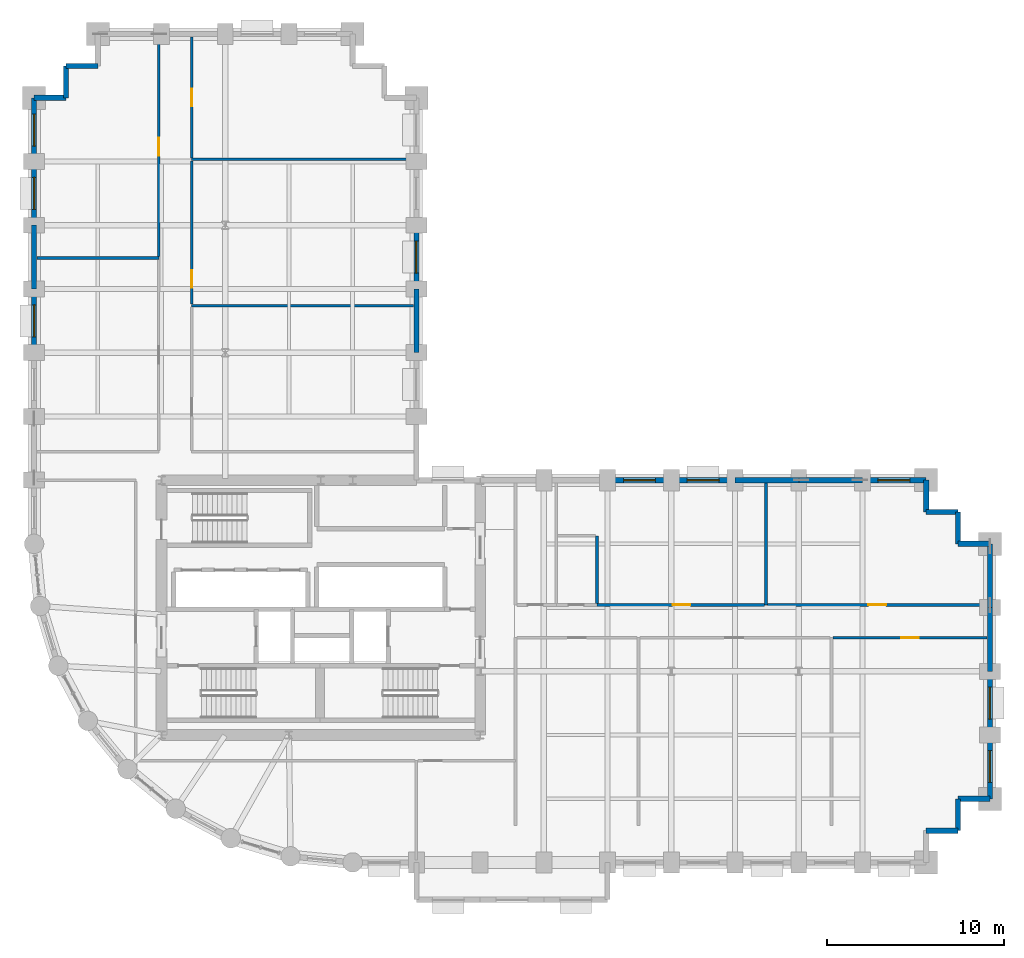
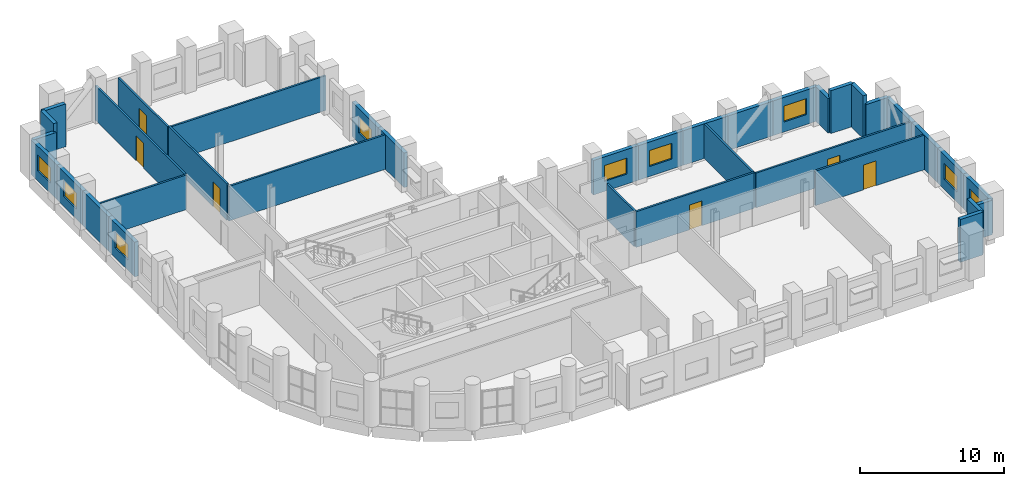
# One storey, part 11 of 14: 36 walls, 9 windows, 6 doors, 15 openings.
"""IFC4 building model written with IfcOpenShell, lengths in metres."""

import ifcopenshell
import ifcopenshell.guid

model = None  # the IFC model being written
_history = None  # IfcOwnerHistory: only IFC2X3 demands one
_inside = {}  # id of a spatial element -> (the spatial element, [elements in it])
_under = {}  # id of a project, library or spatial element -> (it, [spatial elements below it])
_declared = {}  # id of a project -> (the project, [libraries it declares])
_typed = {}  # id of a type object -> (the type object, [elements of that type])
_made_of = {}  # id of a material, layer set ... -> (it, [elements and type objects made of it])


def new_model(schema):
    """Start an empty IFC model of exactly this schema.

    Asked for "IFC4X3", IfcOpenShell would pick the latest addendum, in which some entities
    have other attributes; the version numbers below select the first issue.
    IFC2X3 requires an IfcOwnerHistory on every rooted entity: one is made here for all.
    """
    global model, _history
    if schema == "IFC4X3":
        model = ifcopenshell.file(schema_version=(4, 3, 0, 0))
    else:
        model = ifcopenshell.file(schema=schema)
    _inside.clear()
    _under.clear()
    _declared.clear()
    _typed.clear()
    _made_of.clear()
    _history = None
    if model.schema == "IFC2X3":
        org = make("IfcOrganization", Name="unknown")
        user = make(
            "IfcPersonAndOrganization",
            ThePerson=make("IfcPerson", FamilyName="unknown"),
            TheOrganization=org,
        )
        app = make(
            "IfcApplication",
            ApplicationDeveloper=org,
            Version="unknown",
            ApplicationFullName="unknown",
            ApplicationIdentifier="unknown",
        )
        _history = make(
            "IfcOwnerHistory",
            OwningUser=user,
            OwningApplication=app,
            ChangeAction="ADDED",
            CreationDate=0,
        )
    return model


def make(cls, **values):
    """One entity of the class cls with the attributes given. An attribute that is None is left unset."""
    return model.create_entity(
        cls, **{name: value for name, value in values.items() if value is not None}
    )


def rooted(cls, **values):
    """An entity with a GlobalId (a new one), such as an element, a storey or a relation."""
    return make(cls, GlobalId=ifcopenshell.guid.new(), OwnerHistory=_history, **values)


def si_unit(unit_type, name, prefix=None):
    """IfcSIUnit, for example si_unit("LENGTHUNIT", "METRE", prefix="MILLI")."""
    return make("IfcSIUnit", UnitType=unit_type, Prefix=prefix, Name=name)


def assignment(units):
    """IfcUnitAssignment: the units of a project."""
    return None if units is None else make("IfcUnitAssignment", Units=units)


def point(xyz):
    """IfcCartesianPoint."""
    return None if xyz is None else make("IfcCartesianPoint", Coordinates=xyz)


def direction(xyz):
    """IfcDirection."""
    return None if xyz is None else make("IfcDirection", DirectionRatios=xyz)


def frame(location, z_axis=None, x_axis=None):
    """IfcAxis2Placement3D, a coordinate frame: its origin and axes. An axis left out is left unset."""
    return make(
        "IfcAxis2Placement3D",
        Location=point(location),
        Axis=direction(z_axis),
        RefDirection=direction(x_axis),
    )


def frame_2d(location, x_axis=None):
    """IfcAxis2Placement2D, a coordinate frame in the plane: its origin and x axis."""
    return make(
        "IfcAxis2Placement2D", Location=point(location), RefDirection=direction(x_axis)
    )


def origin():
    """The frame at (0, 0, 0) with its axes left unset."""
    return frame((0.0, 0.0, 0.0))


def place(relative_to, where):
    """IfcLocalPlacement: puts the frame where relative to a parent placement (None: the world)."""
    return make(
        "IfcLocalPlacement", PlacementRelTo=relative_to, RelativePlacement=where
    )


def context(
    kind, dimensions, precision=None, world=None, true_north=None, identifier=None
):
    """IfcGeometricRepresentationContext, for example the 3D "Model" context."""
    return make(
        "IfcGeometricRepresentationContext",
        ContextIdentifier=identifier,
        ContextType=kind,
        CoordinateSpaceDimension=dimensions,
        Precision=precision,
        WorldCoordinateSystem=world,
        TrueNorth=true_north,
    )


def subcontext(parent, identifier, kind, view, scale=None):
    """IfcGeometricRepresentationSubContext, for example "Body" below "Model"."""
    return make(
        "IfcGeometricRepresentationSubContext",
        ContextIdentifier=identifier,
        ContextType=kind,
        ParentContext=parent,
        TargetScale=scale,
        TargetView=view,
    )


def project(units=None, contexts=None):
    """IfcProject with its units and contexts."""
    return rooted(
        "IfcProject",
        Name="project",
        RepresentationContexts=contexts,
        UnitsInContext=assignment(units),
    )


def spatial(cls, under=None, at=None, **own):
    """A site, building, storey or space (cls), placed at a placement, below another one or the project."""
    s = rooted(cls, ObjectPlacement=at, **own)
    if under is not None:
        _under.setdefault(under.id(), (under, []))[1].append(s)
    return s


def profile(cls, at=None, kind="AREA", **sizes):
    """A parametric profile (cls). Its sizes go by their IFC names, for example OverallWidth=200.0."""
    return make(cls, ProfileType=kind, Position=at, **sizes)


def rectangle(**sizes):
    """IfcRectangleProfileDef."""
    return profile("IfcRectangleProfileDef", **sizes)


def extrude(swept, where, along, depth):
    """IfcExtrudedAreaSolid: the profile swept, set in the frame where, extruded along a direction by depth."""
    return make(
        "IfcExtrudedAreaSolid",
        SweptArea=swept,
        Position=where,
        ExtrudedDirection=direction(along),
        Depth=depth,
    )


def shape(context_of_items, identifier, shape_type, items):
    """IfcShapeRepresentation: the items that make up one representation, for example the "Body"."""
    return make(
        "IfcShapeRepresentation",
        ContextOfItems=context_of_items,
        RepresentationIdentifier=identifier,
        RepresentationType=shape_type,
        Items=items,
    )


def material(Name=None, Category=None):
    """IfcMaterial."""
    return make("IfcMaterial", Name=Name, Category=Category)


def layer(
    of_material, thickness, ventilated=None, Name=None, Category=None, Priority=None
):
    """IfcMaterialLayer: one layer of a wall or slab, of a material (None: an air gap)."""
    return make(
        "IfcMaterialLayer",
        Material=of_material,
        LayerThickness=thickness,
        IsVentilated=ventilated,
        Name=Name,
        Category=Category,
        Priority=Priority,
    )


def layer_set(layers, Name=None):
    """IfcMaterialLayerSet."""
    return make("IfcMaterialLayerSet", MaterialLayers=layers, LayerSetName=Name)


def made_of(thing, what):
    """Note that an element or type object is made of a material, layer set ...; save() writes the relation."""
    if what is not None:
        _made_of.setdefault(what.id(), (what, []))[1].append(thing)
    return thing


def type_object(cls, material=None, **own):
    """A type object (cls), such as IfcWallType, which elements share."""
    return made_of(rooted(cls, **own), material)


def element(
    cls,
    number,
    at=None,
    inside=None,
    cuts=None,
    type_object=None,
    material=None,
    context=None,
    identifier="Body",
    shape_type=None,
    held_by="IfcProductDefinitionShape",
    body=None,
    shapes=None,
    **own,
):
    """One element of the class cls, such as IfcWall. Its Tag is "e" and its number.

    at: its placement. inside: the storey or other place that contains it. cuts: it is an
    opening in that element (IfcRelVoidsElement). A single representation is given by context,
    identifier, shape_type and body (its items); several are given by shapes. held_by: the class
    of the entity that holds the representations. save() writes the other relations.
    """
    e = rooted(cls, Tag="e%d" % number, ObjectPlacement=at, **own)
    if body is not None:
        shapes = [shape(context, identifier, shape_type, body)]
    if shapes is not None:
        e.Representation = make(held_by, Representations=shapes)
    if inside is not None:
        _inside.setdefault(inside.id(), (inside, []))[1].append(e)
    if cuts is not None:
        rooted(
            "IfcRelVoidsElement", RelatingBuildingElement=cuts, RelatedOpeningElement=e
        )
    if type_object is not None:
        _typed.setdefault(type_object.id(), (type_object, []))[1].append(e)
    return made_of(e, material)


def fill(opening, filler):
    """IfcRelFillsElement: the door or window that sits in an opening."""
    return rooted(
        "IfcRelFillsElement",
        RelatingOpeningElement=opening,
        RelatedBuildingElement=filler,
    )


def aggregate(whole, parts):
    """IfcRelAggregates: a whole, such as a stair, and the parts it consists of."""
    return rooted("IfcRelAggregates", RelatingObject=whole, RelatedObjects=parts)


def save(model, path):
    """Write the relations noted so far, then the file.

    IfcRelAggregates (storeys below a building ...), IfcRelContainedInSpatialStructure (elements
    in a storey), IfcRelDefinesByType, IfcRelAssociatesMaterial and IfcRelDeclares: one each for
    every whole, place, type object, material and project.
    """
    for whole, parts in _under.values():
        aggregate(whole, parts)
    for where, things in _inside.values():
        rooted(
            "IfcRelContainedInSpatialStructure",
            RelatedElements=things,
            RelatingStructure=where,
        )
    for kind, things in _typed.values():
        rooted("IfcRelDefinesByType", RelatedObjects=things, RelatingType=kind)
    for what, things in _made_of.values():
        rooted("IfcRelAssociatesMaterial", RelatedObjects=things, RelatingMaterial=what)
    for by, libraries in _declared.values():
        rooted("IfcRelDeclares", RelatingContext=by, RelatedDefinitions=libraries)
    model.write(path)


model = new_model("IFC4")

# Units and contexts
model_context = context("Model", 3, precision=1e-05, world=origin(), true_north=direction((0.0, 1.0)))
body_context = subcontext(model_context, "Body", "Model", "MODEL_VIEW")
ifc_project = project(units=[si_unit("LENGTHUNIT", "METRE"), si_unit("AREAUNIT", "SQUARE_METRE"), si_unit("VOLUMEUNIT", "CUBIC_METRE"), si_unit("PLANEANGLEUNIT", "RADIAN"), si_unit("MASSUNIT", "GRAM", prefix="KILO")], contexts=[model_context])

# Site, building, storey
site_placement = place(None, origin())
site = spatial("IfcSite", under=ifc_project, at=site_placement, CompositionType="ELEMENT")
building_placement = place(site_placement, origin())
building = spatial("IfcBuilding", under=site, at=building_placement, Name="Solnavia Interchange Tower", CompositionType="ELEMENT")
storey_placement = place(building_placement, frame((0.0, 0.0, 63.0)))
storey = spatial("IfcBuildingStorey", under=building, at=storey_placement, Name="L15", CompositionType="ELEMENT", Elevation=63.0)

# Walls
ifc_material_1 = material(Name="Concrete C40/50", Category="concrete")
ifc_layer_1 = layer(ifc_material_1, 0.300048828125)
ifc_layer_set_1 = layer_set([ifc_layer_1], Name="Concrete C40/50")
wall_type_1 = type_object("IfcWallType", Name="Wall-ExtSpandrel-300", PredefinedType="STANDARD", material=ifc_layer_set_1)
wall_1_placement = place(storey_placement, frame((59.39990234375, 5.39990234375, 0.0), z_axis=(0.0, 0.0, 1.0), x_axis=(-1.0, 0.0, 0.0)))
element("IfcWall", 1, at=wall_1_placement, inside=storey, type_object=wall_type_1, Name="EXW-L15-13 Exterior precast spandrel wall", PredefinedType="STANDARD", context=body_context, shape_type="SweptSolid", body=[
    extrude(rectangle(XDim=1.7998046875, YDim=0.300048828125, at=frame_2d((0.89990234375, 0.0))), origin(), (0.0, 0.0, 1.0), 3.635009765625),
])
wall_2_placement = place(storey_placement, frame((59.39990234375, 7.199951171875, 0.0), z_axis=(0.0, 0.0, 1.0), x_axis=(0.0, -1.0, 0.0)))
element("IfcWall", 2, at=wall_2_placement, inside=storey, type_object=wall_type_1, Name="EXW-L15-14 Exterior precast spandrel wall", PredefinedType="STANDARD", context=body_context, shape_type="SweptSolid", body=[
    extrude(rectangle(XDim=1.800048828125, YDim=0.300048828125, at=frame_2d((0.89990234375, 0.0))), origin(), (0.0, 0.0, 1.0), 3.635009765625),
])
wall_3_placement = place(storey_placement, frame((61.199951171875, 7.199951171875, 0.0), z_axis=(0.0, 0.0, 1.0), x_axis=(-1.0, 0.0, 0.0)))
element("IfcWall", 3, at=wall_3_placement, inside=storey, type_object=wall_type_1, Name="EXW-L15-15 Exterior precast spandrel wall", PredefinedType="STANDARD", context=body_context, shape_type="SweptSolid", body=[
    extrude(rectangle(XDim=1.800048828125, YDim=0.300048828125, at=frame_2d((0.89990234375, 0.0))), origin(), (0.0, 0.0, 1.0), 2.929931640625),
])

# Wall, opening, window
wall_4_placement = place(storey_placement, frame((61.199951171875, 10.800048828125, 0.0), z_axis=(0.0, 0.0, 1.0), x_axis=(0.0, -1.0, 0.0)))
wall_4 = element("IfcWall", 4, at=wall_4_placement, inside=storey, type_object=wall_type_1, Name="EXW-L15-16 Exterior precast spandrel wall", PredefinedType="STANDARD", context=body_context, shape_type="SweptSolid", body=[
    extrude(rectangle(XDim=3.60009765625, YDim=0.300048828125, at=frame_2d((1.800048828125, 0.0))), origin(), (0.0, 0.0, 1.0), 2.929931640625),
])
opening_1_placement = place(wall_4_placement, frame((0.875, 0.0, 0.85009765625)))
opening_1 = element("IfcOpeningElement", 5, at=opening_1_placement, cuts=wall_4, Name="Opening WIN-02", PredefinedType="OPENING", context=body_context, shape_type="SweptSolid", body=[
    extrude(rectangle(XDim=1.800048828125, YDim=1.35009765625, at=frame_2d((0.89990234375, 0.675048828125))), frame((0.0, 0.16015625, 0.0), z_axis=(0.0, -1.0, 0.0), x_axis=(1.0, 0.0, 0.0)), (0.0, 0.0, 1.0), 0.320068359375),
])
ifc_material_2 = material(Name="Thermal-Break Aluminium & Low-E Glass", Category="aluminium")
window_type = type_object("IfcWindowType", Name="Window-Ribbon-1800x1350", PartitioningType="SINGLE_PANEL", PredefinedType="WINDOW", material=ifc_material_2)
window_1_placement = place(opening_1_placement, origin())
window_1 = element("IfcWindow", 6, at=window_1_placement, inside=storey, type_object=window_type, Name="WIN-L15-16 Facade ribbon window", OverallHeight=1.35009765625, OverallWidth=1.800048828125, PartitioningType="SINGLE_PANEL", PredefinedType="WINDOW", context=body_context, shape_type="SweptSolid", body=[
    extrude(rectangle(XDim=1.800048828125, YDim=1.35009765625, at=frame_2d((0.89990234375, 0.675048828125))), frame((0.0, 0.030029296875, 0.0), z_axis=(0.0, -1.0, 0.0), x_axis=(1.0, 0.0, 0.0)), (0.0, 0.0, 1.0), 0.06005859375),
])
fill(opening_1, window_1)

wall_5_placement = place(storey_placement, frame((61.199951171875, 14.39990234375, 0.0), z_axis=(0.0, 0.0, 1.0), x_axis=(0.0, -1.0, 0.0)))
wall_5 = element("IfcWall", 7, at=wall_5_placement, inside=storey, type_object=wall_type_1, Name="EXW-L15-17 Exterior precast spandrel wall", PredefinedType="STANDARD", context=body_context, shape_type="SweptSolid", body=[
    extrude(rectangle(XDim=3.599853515625, YDim=0.300048828125, at=frame_2d((1.7998046875, 0.0))), origin(), (0.0, 0.0, 1.0), 2.929931640625),
])
opening_2_placement = place(wall_5_placement, frame((0.89990234375, 0.0, 0.85009765625)))
opening_2 = element("IfcOpeningElement", 8, at=opening_2_placement, cuts=wall_5, Name="Opening WIN-02", PredefinedType="OPENING", context=body_context, shape_type="SweptSolid", body=[
    extrude(rectangle(XDim=1.800048828125, YDim=1.35009765625, at=frame_2d((0.89990234375, 0.675048828125))), frame((0.0, 0.16015625, 0.0), z_axis=(0.0, -1.0, 0.0), x_axis=(1.0, 0.0, 0.0)), (0.0, 0.0, 1.0), 0.320068359375),
])
window_2_placement = place(opening_2_placement, origin())
window_2 = element("IfcWindow", 9, at=window_2_placement, inside=storey, type_object=window_type, Name="WIN-L15-17 Facade ribbon window", OverallHeight=1.35009765625, OverallWidth=1.800048828125, PartitioningType="SINGLE_PANEL", PredefinedType="WINDOW", context=body_context, shape_type="SweptSolid", body=[
    extrude(rectangle(XDim=1.800048828125, YDim=1.35009765625, at=frame_2d((0.89990234375, 0.675048828125))), frame((0.0, 0.030029296875, 0.0), z_axis=(0.0, -1.0, 0.0), x_axis=(1.0, 0.0, 0.0)), (0.0, 0.0, 1.0), 0.06005859375),
])
fill(opening_2, window_2)

# Walls
for number, where, z_axis, x_axis, name in (
    (10, (61.199951171875, 18.0, 0.0), (0.0, 0.0, 1.0), (0.0, -1.0, 0.0), "EXW-L15-18 Exterior precast spandrel wall"),
    (11, (61.199951171875, 21.60009765625, 0.0), (0.0, 0.0, 1.0), (0.0, -1.0, 0.0), "EXW-L15-19 Exterior precast spandrel wall"),
):
    element("IfcWall", number, at=place(storey_placement, frame(where, z_axis=z_axis, x_axis=x_axis)), inside=storey, type_object=wall_type_1, Name=name, PredefinedType="STANDARD", context=body_context, shape_type="SweptSolid", body=[
        extrude(rectangle(XDim=3.60009765625, YDim=0.300048828125, at=frame_2d((1.800048828125, 0.0))), origin(), (0.0, 0.0, 1.0), 2.929931640625),
    ])
wall_6_placement = place(storey_placement, frame((61.199951171875, 21.60009765625, 0.0), z_axis=(0.0, 0.0, 1.0), x_axis=(-1.0, 0.0, 0.0)))
element("IfcWall", 12, at=wall_6_placement, inside=storey, type_object=wall_type_1, Name="EXW-L15-20 Exterior precast spandrel wall", PredefinedType="STANDARD", context=body_context, shape_type="SweptSolid", body=[
    extrude(rectangle(XDim=1.800048828125, YDim=0.300048828125, at=frame_2d((0.89990234375, 0.0))), origin(), (0.0, 0.0, 1.0), 2.929931640625),
])
for number, where, z_axis, x_axis, name in (
    (13, (59.39990234375, 23.39990234375, 0.0), (0.0, 0.0, 1.0), (0.0, -1.0, 0.0), "EXW-L15-21 Exterior precast spandrel wall"),
    (14, (57.60009765625, 23.39990234375, 0.0), (0.0, 0.0, 1.0), (1.0, 0.0, 0.0), "EXW-L15-22 Exterior precast spandrel wall"),
):
    element("IfcWall", number, at=place(storey_placement, frame(where, z_axis=z_axis, x_axis=x_axis)), inside=storey, type_object=wall_type_1, Name=name, PredefinedType="STANDARD", context=body_context, shape_type="SweptSolid", body=[
        extrude(rectangle(XDim=1.7998046875, YDim=0.300048828125, at=frame_2d((0.89990234375, 0.0))), origin(), (0.0, 0.0, 1.0), 3.635009765625),
    ])
wall_7_placement = place(storey_placement, frame((57.60009765625, 25.199951171875, 0.0), z_axis=(0.0, 0.0, 1.0), x_axis=(0.0, -1.0, 0.0)))
element("IfcWall", 15, at=wall_7_placement, inside=storey, type_object=wall_type_1, Name="EXW-L15-23 Exterior precast spandrel wall", PredefinedType="STANDARD", context=body_context, shape_type="SweptSolid", body=[
    extrude(rectangle(XDim=1.800048828125, YDim=0.300048828125, at=frame_2d((0.89990234375, 0.0))), origin(), (0.0, 0.0, 1.0), 2.929931640625),
])

# Wall, opening, window
wall_8_placement = place(storey_placement, frame((54.0, 25.199951171875, 0.0), z_axis=(0.0, 0.0, 1.0), x_axis=(1.0, 0.0, 0.0)))
wall_8 = element("IfcWall", 16, at=wall_8_placement, inside=storey, type_object=wall_type_1, Name="EXW-L15-24 Exterior precast spandrel wall", PredefinedType="STANDARD", context=body_context, shape_type="SweptSolid", body=[
    extrude(rectangle(XDim=3.60009765625, YDim=0.300048828125, at=frame_2d((1.800048828125, 0.0))), origin(), (0.0, 0.0, 1.0), 2.929931640625),
])
opening_3_placement = place(wall_8_placement, frame((0.875, 0.0, 0.85009765625)))
opening_3 = element("IfcOpeningElement", 17, at=opening_3_placement, cuts=wall_8, Name="Opening WIN-02", PredefinedType="OPENING", context=body_context, shape_type="SweptSolid", body=[
    extrude(rectangle(XDim=1.800048828125, YDim=1.35009765625, at=frame_2d((0.89990234375, 0.675048828125))), frame((0.0, 0.16015625, 0.0), z_axis=(0.0, -1.0, 0.0), x_axis=(1.0, 0.0, 0.0)), (0.0, 0.0, 1.0), 0.320068359375),
])
window_3_placement = place(opening_3_placement, origin())
window_3 = element("IfcWindow", 18, at=window_3_placement, inside=storey, type_object=window_type, Name="WIN-L15-24 Facade ribbon window", OverallHeight=1.35009765625, OverallWidth=1.800048828125, PartitioningType="SINGLE_PANEL", PredefinedType="WINDOW", context=body_context, shape_type="SweptSolid", body=[
    extrude(rectangle(XDim=1.800048828125, YDim=1.35009765625, at=frame_2d((0.89990234375, 0.675048828125))), frame((0.0, 0.030029296875, 0.0), z_axis=(0.0, -1.0, 0.0), x_axis=(1.0, 0.0, 0.0)), (0.0, 0.0, 1.0), 0.06005859375),
])
fill(opening_3, window_3)

# Walls
wall_9_placement = place(storey_placement, frame((50.39990234375, 25.199951171875, 0.0), z_axis=(0.0, 0.0, 1.0), x_axis=(1.0, 0.0, 0.0)))
element("IfcWall", 19, at=wall_9_placement, inside=storey, type_object=wall_type_1, Name="EXW-L15-25 Exterior precast spandrel wall", PredefinedType="STANDARD", context=body_context, shape_type="SweptSolid", body=[
    extrude(rectangle(XDim=3.60009765625, YDim=0.300048828125, at=frame_2d((1.800048828125, 0.0))), origin(), (0.0, 0.0, 1.0), 2.929931640625),
])
wall_10_placement = place(storey_placement, frame((46.800048828125, 25.199951171875, 0.0), z_axis=(0.0, 0.0, 1.0), x_axis=(1.0, 0.0, 0.0)))
element("IfcWall", 20, at=wall_10_placement, inside=storey, type_object=wall_type_1, Name="EXW-L15-26 Exterior precast spandrel wall", PredefinedType="STANDARD", context=body_context, shape_type="SweptSolid", body=[
    extrude(rectangle(XDim=3.599853515625, YDim=0.300048828125, at=frame_2d((1.7998046875, 0.0))), origin(), (0.0, 0.0, 1.0), 2.929931640625),
])

# Wall, opening, window
wall_11_placement = place(storey_placement, frame((43.199951171875, 25.199951171875, 0.0), z_axis=(0.0, 0.0, 1.0), x_axis=(1.0, 0.0, 0.0)))
wall_11 = element("IfcWall", 21, at=wall_11_placement, inside=storey, type_object=wall_type_1, Name="EXW-L15-27 Exterior precast spandrel wall", PredefinedType="STANDARD", context=body_context, shape_type="SweptSolid", body=[
    extrude(rectangle(XDim=3.60009765625, YDim=0.300048828125, at=frame_2d((1.800048828125, 0.0))), origin(), (0.0, 0.0, 1.0), 2.929931640625),
])
opening_4_placement = place(wall_11_placement, frame((0.89990234375, 0.0, 0.85009765625)))
opening_4 = element("IfcOpeningElement", 22, at=opening_4_placement, cuts=wall_11, Name="Opening WIN-02", PredefinedType="OPENING", context=body_context, shape_type="SweptSolid", body=[
    extrude(rectangle(XDim=1.800048828125, YDim=1.35009765625, at=frame_2d((0.89990234375, 0.675048828125))), frame((0.0, 0.16015625, 0.0), z_axis=(0.0, -1.0, 0.0), x_axis=(1.0, 0.0, 0.0)), (0.0, 0.0, 1.0), 0.320068359375),
])
window_4_placement = place(opening_4_placement, origin())
window_4 = element("IfcWindow", 23, at=window_4_placement, inside=storey, type_object=window_type, Name="WIN-L15-27 Facade ribbon window", OverallHeight=1.35009765625, OverallWidth=1.800048828125, PartitioningType="SINGLE_PANEL", PredefinedType="WINDOW", context=body_context, shape_type="SweptSolid", body=[
    extrude(rectangle(XDim=1.800048828125, YDim=1.35009765625, at=frame_2d((0.89990234375, 0.675048828125))), frame((0.0, 0.030029296875, 0.0), z_axis=(0.0, -1.0, 0.0), x_axis=(1.0, 0.0, 0.0)), (0.0, 0.0, 1.0), 0.06005859375),
])
fill(opening_4, window_4)

wall_12_placement = place(storey_placement, frame((39.60009765625, 25.199951171875, 0.0), z_axis=(0.0, 0.0, 1.0), x_axis=(1.0, 0.0, 0.0)))
wall_12 = element("IfcWall", 24, at=wall_12_placement, inside=storey, type_object=wall_type_1, Name="EXW-L15-28 Exterior precast spandrel wall", PredefinedType="STANDARD", context=body_context, shape_type="SweptSolid", body=[
    extrude(rectangle(XDim=3.599853515625, YDim=0.300048828125, at=frame_2d((1.7998046875, 0.0))), origin(), (0.0, 0.0, 1.0), 2.929931640625),
])
opening_5_placement = place(wall_12_placement, frame((0.89990234375, 0.0, 0.85009765625)))
opening_5 = element("IfcOpeningElement", 25, at=opening_5_placement, cuts=wall_12, Name="Opening WIN-02", PredefinedType="OPENING", context=body_context, shape_type="SweptSolid", body=[
    extrude(rectangle(XDim=1.800048828125, YDim=1.35009765625, at=frame_2d((0.89990234375, 0.675048828125))), frame((0.0, 0.16015625, 0.0), z_axis=(0.0, -1.0, 0.0), x_axis=(1.0, 0.0, 0.0)), (0.0, 0.0, 1.0), 0.320068359375),
])
window_5_placement = place(opening_5_placement, origin())
window_5 = element("IfcWindow", 26, at=window_5_placement, inside=storey, type_object=window_type, Name="WIN-L15-28 Facade ribbon window", OverallHeight=1.35009765625, OverallWidth=1.800048828125, PartitioningType="SINGLE_PANEL", PredefinedType="WINDOW", context=body_context, shape_type="SweptSolid", body=[
    extrude(rectangle(XDim=1.800048828125, YDim=1.35009765625, at=frame_2d((0.89990234375, 0.675048828125))), frame((0.0, 0.030029296875, 0.0), z_axis=(0.0, -1.0, 0.0), x_axis=(1.0, 0.0, 0.0)), (0.0, 0.0, 1.0), 0.06005859375),
])
fill(opening_5, window_5)

# Wall
wall_13_placement = place(storey_placement, frame((28.800048828125, 32.39990234375, 0.0), z_axis=(0.0, 0.0, 1.0), x_axis=(0.0, 1.0, 0.0)))
element("IfcWall", 27, at=wall_13_placement, inside=storey, type_object=wall_type_1, Name="EXW-L15-34 Exterior precast spandrel wall", PredefinedType="STANDARD", context=body_context, shape_type="SweptSolid", body=[
    extrude(rectangle(XDim=3.60009765625, YDim=0.300048828125, at=frame_2d((1.800048828125, 0.0))), origin(), (0.0, 0.0, 1.0), 2.929931640625),
])

# Wall, opening, window
wall_14_placement = place(storey_placement, frame((28.800048828125, 36.0, 0.0), z_axis=(0.0, 0.0, 1.0), x_axis=(0.0, 1.0, 0.0)))
wall_14 = element("IfcWall", 28, at=wall_14_placement, inside=storey, type_object=wall_type_1, Name="EXW-L15-35 Exterior precast spandrel wall", PredefinedType="STANDARD", context=body_context, shape_type="SweptSolid", body=[
    extrude(rectangle(XDim=3.60009765625, YDim=0.300048828125, at=frame_2d((1.800048828125, 0.0))), origin(), (0.0, 0.0, 1.0), 2.929931640625),
])
opening_6_placement = place(wall_14_placement, frame((0.89990234375, 0.0, 0.85009765625)))
opening_6 = element("IfcOpeningElement", 29, at=opening_6_placement, cuts=wall_14, Name="Opening WIN-02", PredefinedType="OPENING", context=body_context, shape_type="SweptSolid", body=[
    extrude(rectangle(XDim=1.800048828125, YDim=1.35009765625, at=frame_2d((0.89990234375, 0.675048828125))), frame((0.0, 0.16015625, 0.0), z_axis=(0.0, -1.0, 0.0), x_axis=(1.0, 0.0, 0.0)), (0.0, 0.0, 1.0), 0.320068359375),
])
window_6_placement = place(opening_6_placement, origin())
window_6 = element("IfcWindow", 30, at=window_6_placement, inside=storey, type_object=window_type, Name="WIN-L15-35 Facade ribbon window", OverallHeight=1.35009765625, OverallWidth=1.800048828125, PartitioningType="SINGLE_PANEL", PredefinedType="WINDOW", context=body_context, shape_type="SweptSolid", body=[
    extrude(rectangle(XDim=1.800048828125, YDim=1.35009765625, at=frame_2d((0.89990234375, 0.675048828125))), frame((0.0, 0.030029296875, 0.0), z_axis=(0.0, -1.0, 0.0), x_axis=(1.0, 0.0, 0.0)), (0.0, 0.0, 1.0), 0.06005859375),
])
fill(opening_6, window_6)

# Walls
for number, where, z_axis, x_axis, name in (
    (31, (9.0, 48.60009765625, 0.0), (0.0, 0.0, 1.0), (1.0, 0.0, 0.0), "EXW-L15-47 Exterior precast spandrel wall"),
    (32, (9.0, 46.800048828125, 0.0), (0.0, 0.0, 1.0), (0.0, 1.0, 0.0), "EXW-L15-48 Exterior precast spandrel wall"),
):
    element("IfcWall", number, at=place(storey_placement, frame(where, z_axis=z_axis, x_axis=x_axis)), inside=storey, type_object=wall_type_1, Name=name, PredefinedType="STANDARD", context=body_context, shape_type="SweptSolid", body=[
        extrude(rectangle(XDim=1.800048828125, YDim=0.300048828125, at=frame_2d((0.89990234375, 0.0))), origin(), (0.0, 0.0, 1.0), 3.635009765625),
    ])
wall_15_placement = place(storey_placement, frame((7.199951171875, 46.800048828125, 0.0), z_axis=(0.0, 0.0, 1.0), x_axis=(1.0, 0.0, 0.0)))
element("IfcWall", 33, at=wall_15_placement, inside=storey, type_object=wall_type_1, Name="EXW-L15-49 Exterior precast spandrel wall", PredefinedType="STANDARD", context=body_context, shape_type="SweptSolid", body=[
    extrude(rectangle(XDim=1.800048828125, YDim=0.300048828125, at=frame_2d((0.89990234375, 0.0))), origin(), (0.0, 0.0, 1.0), 2.929931640625),
])

# Wall, opening, window
wall_16_placement = place(storey_placement, frame((7.199951171875, 43.199951171875, 0.0), z_axis=(0.0, 0.0, 1.0), x_axis=(0.0, 1.0, 0.0)))
wall_16 = element("IfcWall", 34, at=wall_16_placement, inside=storey, type_object=wall_type_1, Name="EXW-L15-50 Exterior precast spandrel wall", PredefinedType="STANDARD", context=body_context, shape_type="SweptSolid", body=[
    extrude(rectangle(XDim=3.60009765625, YDim=0.300048828125, at=frame_2d((1.800048828125, 0.0))), origin(), (0.0, 0.0, 1.0), 2.929931640625),
])
opening_7_placement = place(wall_16_placement, frame((0.875, 0.0, 0.85009765625)))
opening_7 = element("IfcOpeningElement", 35, at=opening_7_placement, cuts=wall_16, Name="Opening WIN-02", PredefinedType="OPENING", context=body_context, shape_type="SweptSolid", body=[
    extrude(rectangle(XDim=1.800048828125, YDim=1.35009765625, at=frame_2d((0.89990234375, 0.675048828125))), frame((0.0, 0.16015625, 0.0), z_axis=(0.0, -1.0, 0.0), x_axis=(1.0, 0.0, 0.0)), (0.0, 0.0, 1.0), 0.320068359375),
])
window_7_placement = place(opening_7_placement, origin())
window_7 = element("IfcWindow", 36, at=window_7_placement, inside=storey, type_object=window_type, Name="WIN-L15-50 Facade ribbon window", OverallHeight=1.35009765625, OverallWidth=1.800048828125, PartitioningType="SINGLE_PANEL", PredefinedType="WINDOW", context=body_context, shape_type="SweptSolid", body=[
    extrude(rectangle(XDim=1.800048828125, YDim=1.35009765625, at=frame_2d((0.89990234375, 0.675048828125))), frame((0.0, 0.030029296875, 0.0), z_axis=(0.0, -1.0, 0.0), x_axis=(1.0, 0.0, 0.0)), (0.0, 0.0, 1.0), 0.06005859375),
])
fill(opening_7, window_7)

wall_17_placement = place(storey_placement, frame((7.199951171875, 39.60009765625, 0.0), z_axis=(0.0, 0.0, 1.0), x_axis=(0.0, 1.0, 0.0)))
wall_17 = element("IfcWall", 37, at=wall_17_placement, inside=storey, type_object=wall_type_1, Name="EXW-L15-51 Exterior precast spandrel wall", PredefinedType="STANDARD", context=body_context, shape_type="SweptSolid", body=[
    extrude(rectangle(XDim=3.599853515625, YDim=0.300048828125, at=frame_2d((1.7998046875, 0.0))), origin(), (0.0, 0.0, 1.0), 2.929931640625),
])
opening_8_placement = place(wall_17_placement, frame((0.89990234375, 0.0, 0.85009765625)))
opening_8 = element("IfcOpeningElement", 38, at=opening_8_placement, cuts=wall_17, Name="Opening WIN-02", PredefinedType="OPENING", context=body_context, shape_type="SweptSolid", body=[
    extrude(rectangle(XDim=1.800048828125, YDim=1.35009765625, at=frame_2d((0.89990234375, 0.675048828125))), frame((0.0, 0.16015625, 0.0), z_axis=(0.0, -1.0, 0.0), x_axis=(1.0, 0.0, 0.0)), (0.0, 0.0, 1.0), 0.320068359375),
])
window_8_placement = place(opening_8_placement, origin())
window_8 = element("IfcWindow", 39, at=window_8_placement, inside=storey, type_object=window_type, Name="WIN-L15-51 Facade ribbon window", OverallHeight=1.35009765625, OverallWidth=1.800048828125, PartitioningType="SINGLE_PANEL", PredefinedType="WINDOW", context=body_context, shape_type="SweptSolid", body=[
    extrude(rectangle(XDim=1.800048828125, YDim=1.35009765625, at=frame_2d((0.89990234375, 0.675048828125))), frame((0.0, 0.030029296875, 0.0), z_axis=(0.0, -1.0, 0.0), x_axis=(1.0, 0.0, 0.0)), (0.0, 0.0, 1.0), 0.06005859375),
])
fill(opening_8, window_8)

# Wall
wall_18_placement = place(storey_placement, frame((7.199951171875, 36.0, 0.0), z_axis=(0.0, 0.0, 1.0), x_axis=(0.0, 1.0, 0.0)))
element("IfcWall", 40, at=wall_18_placement, inside=storey, type_object=wall_type_1, Name="EXW-L15-52 Exterior precast spandrel wall", PredefinedType="STANDARD", context=body_context, shape_type="SweptSolid", body=[
    extrude(rectangle(XDim=3.60009765625, YDim=0.300048828125, at=frame_2d((1.800048828125, 0.0))), origin(), (0.0, 0.0, 1.0), 2.929931640625),
])

# Wall, opening, window
wall_19_placement = place(storey_placement, frame((7.199951171875, 32.39990234375, 0.0), z_axis=(0.0, 0.0, 1.0), x_axis=(0.0, 1.0, 0.0)))
wall_19 = element("IfcWall", 41, at=wall_19_placement, inside=storey, type_object=wall_type_1, Name="EXW-L15-53 Exterior precast spandrel wall", PredefinedType="STANDARD", context=body_context, shape_type="SweptSolid", body=[
    extrude(rectangle(XDim=3.60009765625, YDim=0.300048828125, at=frame_2d((1.800048828125, 0.0))), origin(), (0.0, 0.0, 1.0), 2.929931640625),
])
opening_9_placement = place(wall_19_placement, frame((0.89990234375, 0.0, 0.85009765625)))
opening_9 = element("IfcOpeningElement", 42, at=opening_9_placement, cuts=wall_19, Name="Opening WIN-02", PredefinedType="OPENING", context=body_context, shape_type="SweptSolid", body=[
    extrude(rectangle(XDim=1.800048828125, YDim=1.35009765625, at=frame_2d((0.89990234375, 0.675048828125))), frame((0.0, 0.16015625, 0.0), z_axis=(0.0, -1.0, 0.0), x_axis=(1.0, 0.0, 0.0)), (0.0, 0.0, 1.0), 0.320068359375),
])
window_9_placement = place(opening_9_placement, origin())
window_9 = element("IfcWindow", 43, at=window_9_placement, inside=storey, type_object=window_type, Name="WIN-L15-53 Facade ribbon window", OverallHeight=1.35009765625, OverallWidth=1.800048828125, PartitioningType="SINGLE_PANEL", PredefinedType="WINDOW", context=body_context, shape_type="SweptSolid", body=[
    extrude(rectangle(XDim=1.800048828125, YDim=1.35009765625, at=frame_2d((0.89990234375, 0.675048828125))), frame((0.0, 0.030029296875, 0.0), z_axis=(0.0, -1.0, 0.0), x_axis=(1.0, 0.0, 0.0)), (0.0, 0.0, 1.0), 0.06005859375),
])
fill(opening_9, window_9)

# Wall, opening, door
ifc_material_3 = material(Name="Gypsum Plasterboard & Steel Stud", Category="steel")
ifc_layer_2 = layer(ifc_material_3, 0.14990234375)
ifc_layer_set_2 = layer_set([ifc_layer_2], Name="Gypsum Plasterboard & Steel Stud")
wall_type_2 = type_object("IfcWallType", Name="Wall-Partition-150", PredefinedType="PARTITIONING", material=ifc_layer_set_2)
wall_20_placement = place(storey_placement, frame((52.3291015625, 16.300048828125, 0.0), z_axis=(0.0, 0.0, 1.0), x_axis=(1.0, 0.0, 0.0)))
wall_20 = element("IfcWall", 44, at=wall_20_placement, inside=storey, type_object=wall_type_2, Name="PTW-L15-17 Interior partition wall", PredefinedType="PARTITIONING", context=body_context, shape_type="SweptSolid", body=[
    extrude(rectangle(XDim=8.716796875, YDim=0.14990234375, at=frame_2d((4.3583984375, 0.0))), origin(), (0.0, 0.0, 1.0), 2.929931640625),
])
opening_10_placement = place(wall_20_placement, frame((3.85595703125, 0.0, 0.0)))
opening_10 = element("IfcOpeningElement", 45, at=opening_10_placement, cuts=wall_20, Name="Opening DR-07", PredefinedType="OPENING", context=body_context, shape_type="SweptSolid", body=[
    extrude(rectangle(XDim=1.0, YDim=2.10009765625, at=frame_2d((0.5, 1.050048828125))), frame((0.0, 0.0849609375, 0.0), z_axis=(0.0, -1.0, 0.0), x_axis=(1.0, 0.0, 0.0)), (0.0, 0.0, 1.0), 0.169921875),
])
ifc_material_4 = material(Name="Timber & Acoustic Glazed Office Door", Category="wood")
door_type = type_object("IfcDoorType", Name="Door-Office-1000x2100", OperationType="SINGLE_SWING_RIGHT", PredefinedType="DOOR", material=ifc_material_4)
door_1_placement = place(opening_10_placement, origin())
door_1 = element("IfcDoor", 46, at=door_1_placement, inside=storey, type_object=door_type, Name="DR-L15-07 Interior room door", OperationType="SINGLE_SWING_LEFT", OverallHeight=2.10009765625, OverallWidth=1.0, PredefinedType="DOOR", context=body_context, shape_type="SweptSolid", body=[
    extrude(rectangle(XDim=1.0, YDim=2.10009765625, at=frame_2d((0.5, 1.050048828125))), frame((0.0, 0.02490234375, 0.0), z_axis=(0.0, -1.0, 0.0), x_axis=(1.0, 0.0, 0.0)), (0.0, 0.0, 1.0), 0.050048828125),
])
fill(opening_10, door_1)

# Wall
wall_21_placement = place(storey_placement, frame((48.550048828125, 18.14990234375, 0.0), z_axis=(0.0, 0.0, 1.0), x_axis=(0.0, 1.0, 0.0)))
element("IfcWall", 47, at=wall_21_placement, inside=storey, type_object=wall_type_2, Name="PTW-L15-18 Interior partition wall", PredefinedType="PARTITIONING", context=body_context, shape_type="SweptSolid", body=[
    extrude(rectangle(XDim=6.89599609375, YDim=0.14990234375, at=frame_2d((3.447998046875, 0.0))), origin(), (0.0, 0.0, 1.0), 2.929931640625),
])

# Wall, opening, door
wall_22_placement = place(storey_placement, frame((39.0, 18.14990234375, 0.0), z_axis=(0.0, 0.0, 1.0), x_axis=(1.0, 0.0, 0.0)))
wall_22 = element("IfcWall", 48, at=wall_22_placement, inside=storey, type_object=wall_type_2, Name="PTW-L15-19 Interior partition wall", PredefinedType="PARTITIONING", context=body_context, shape_type="SweptSolid", body=[
    extrude(rectangle(XDim=9.470947265625, YDim=0.14990234375, at=frame_2d((4.7353515625, 0.0))), origin(), (0.0, 0.0, 1.0), 3.030029296875),
])
opening_11_placement = place(wall_22_placement, frame((4.27490234375, 0.0, 0.0)))
opening_11 = element("IfcOpeningElement", 49, at=opening_11_placement, cuts=wall_22, Name="Opening DR-07", PredefinedType="OPENING", context=body_context, shape_type="SweptSolid", body=[
    extrude(rectangle(XDim=1.0, YDim=2.10009765625, at=frame_2d((0.5, 1.050048828125))), frame((0.0, 0.0849609375, 0.0), z_axis=(0.0, -1.0, 0.0), x_axis=(1.0, 0.0, 0.0)), (0.0, 0.0, 1.0), 0.169921875),
])
door_2_placement = place(opening_11_placement, origin())
door_2 = element("IfcDoor", 50, at=door_2_placement, inside=storey, type_object=door_type, Name="DR-L15-08 Interior room door", OperationType="SINGLE_SWING_RIGHT", OverallHeight=2.10009765625, OverallWidth=1.0, PredefinedType="DOOR", context=body_context, shape_type="SweptSolid", body=[
    extrude(rectangle(XDim=1.0, YDim=2.10009765625, at=frame_2d((0.5, 1.050048828125))), frame((0.0, 0.02490234375, 0.0), z_axis=(0.0, -1.0, 0.0), x_axis=(1.0, 0.0, 0.0)), (0.0, 0.0, 1.0), 0.050048828125),
])
fill(opening_11, door_2)

wall_23_placement = place(storey_placement, frame((48.62890625, 18.14990234375, 0.0), z_axis=(0.0, 0.0, 1.0), x_axis=(1.0, 0.0, 0.0)))
wall_23 = element("IfcWall", 51, at=wall_23_placement, inside=storey, type_object=wall_type_2, Name="PTW-L15-20 Interior partition wall", PredefinedType="PARTITIONING", context=body_context, shape_type="SweptSolid", body=[
    extrude(rectangle(XDim=12.4169921875, YDim=0.14990234375, at=frame_2d((6.20849609375, 0.0))), origin(), (0.0, 0.0, 1.0), 2.929931640625),
])
opening_12_placement = place(wall_23_placement, frame((5.7060546875, 0.0, 0.0)))
opening_12 = element("IfcOpeningElement", 52, at=opening_12_placement, cuts=wall_23, Name="Opening DR-07", PredefinedType="OPENING", context=body_context, shape_type="SweptSolid", body=[
    extrude(rectangle(XDim=1.0, YDim=2.10009765625, at=frame_2d((0.5, 1.050048828125))), frame((0.0, 0.0849609375, 0.0), z_axis=(0.0, -1.0, 0.0), x_axis=(1.0, 0.0, 0.0)), (0.0, 0.0, 1.0), 0.169921875),
])
door_3_placement = place(opening_12_placement, origin())
door_3 = element("IfcDoor", 53, at=door_3_placement, inside=storey, type_object=door_type, Name="DR-L15-09 Interior room door", OperationType="SINGLE_SWING_RIGHT", OverallHeight=2.10009765625, OverallWidth=1.0, PredefinedType="DOOR", context=body_context, shape_type="SweptSolid", body=[
    extrude(rectangle(XDim=1.0, YDim=2.10009765625, at=frame_2d((0.5, 1.050048828125))), frame((0.0, 0.02490234375, 0.0), z_axis=(0.0, -1.0, 0.0), x_axis=(1.0, 0.0, 0.0)), (0.0, 0.0, 1.0), 0.050048828125),
])
fill(opening_12, door_3)

# Wall
wall_24_placement = place(storey_placement, frame((7.35400390625, 37.75, 0.0), z_axis=(0.0, 0.0, 1.0), x_axis=(1.0, 0.0, 0.0)))
element("IfcWall", 54, at=wall_24_placement, inside=storey, type_object=wall_type_2, Name="PTW-L15-22 Interior partition wall", PredefinedType="PARTITIONING", context=body_context, shape_type="SweptSolid", body=[
    extrude(rectangle(XDim=6.89599609375, YDim=0.14990234375, at=frame_2d((3.447998046875, 0.0))), origin(), (0.0, 0.0, 1.0), 2.929931640625),
])

# Wall, opening, door
wall_25_placement = place(storey_placement, frame((14.25, 37.8291015625, 0.0), z_axis=(0.0, 0.0, 1.0), x_axis=(0.0, 1.0, 0.0)))
wall_25 = element("IfcWall", 55, at=wall_25_placement, inside=storey, type_object=wall_type_2, Name="PTW-L15-24 Interior partition wall", PredefinedType="PARTITIONING", context=body_context, shape_type="SweptSolid", body=[
    extrude(rectangle(XDim=12.4169921875, YDim=0.14990234375, at=frame_2d((6.20849609375, 0.0))), origin(), (0.0, 0.0, 1.0), 2.929931640625),
])
opening_13_placement = place(wall_25_placement, frame((5.7060546875, 0.0, 0.0)))
opening_13 = element("IfcOpeningElement", 56, at=opening_13_placement, cuts=wall_25, Name="Opening DR-07", PredefinedType="OPENING", context=body_context, shape_type="SweptSolid", body=[
    extrude(rectangle(XDim=1.0, YDim=2.10009765625, at=frame_2d((0.5, 1.050048828125))), frame((0.0, 0.0849609375, 0.0), z_axis=(0.0, -1.0, 0.0), x_axis=(1.0, 0.0, 0.0)), (0.0, 0.0, 1.0), 0.169921875),
])
door_4_placement = place(opening_13_placement, origin())
door_4 = element("IfcDoor", 57, at=door_4_placement, inside=storey, type_object=door_type, Name="DR-L15-11 Interior room door", OperationType="SINGLE_SWING_RIGHT", OverallHeight=2.10009765625, OverallWidth=1.0, PredefinedType="DOOR", context=body_context, shape_type="SweptSolid", body=[
    extrude(rectangle(XDim=1.0, YDim=2.10009765625, at=frame_2d((0.5, 1.050048828125))), frame((0.0, 0.02490234375, 0.0), z_axis=(0.0, -1.0, 0.0), x_axis=(1.0, 0.0, 0.0)), (0.0, 0.0, 1.0), 0.050048828125),
])
fill(opening_13, door_4)

# Walls
for number, where, z_axis, x_axis, name in (
    (58, (16.10009765625, 35.06005859375, 0.0), (0.0, 0.0, 1.0), (1.0, 0.0, 0.0), "PTW-L15-26 Interior partition wall"),
    (59, (16.10009765625, 43.320068359375, 0.0), (0.0, 0.0, 1.0), (1.0, 0.0, 0.0), "PTW-L15-28 Interior partition wall"),
):
    element("IfcWall", number, at=place(storey_placement, frame(where, z_axis=z_axis, x_axis=x_axis)), inside=storey, type_object=wall_type_2, Name=name, PredefinedType="PARTITIONING", context=body_context, shape_type="SweptSolid", body=[
        extrude(rectangle(XDim=12.5458984375, YDim=0.14990234375, at=frame_2d((6.27294921875, 0.0))), origin(), (0.0, 0.0, 1.0), 2.929931640625),
    ])

# Wall, opening, door
wall_26_placement = place(storey_placement, frame((16.10009765625, 35.138916015625, 0.0), z_axis=(0.0, 0.0, 1.0), x_axis=(0.0, 1.0, 0.0)))
wall_26 = element("IfcWall", 60, at=wall_26_placement, inside=storey, type_object=wall_type_2, Name="PTW-L15-29 Interior partition wall", PredefinedType="PARTITIONING", context=body_context, shape_type="SweptSolid", body=[
    extrude(rectangle(XDim=8.10205078125, YDim=0.14990234375, at=frame_2d((4.051025390625, 0.0))), origin(), (0.0, 0.0, 1.0), 3.080078125),
])
opening_14_placement = place(wall_26_placement, frame((0.9189453125, 0.0, 0.0)))
opening_14 = element("IfcOpeningElement", 61, at=opening_14_placement, cuts=wall_26, Name="Opening DR-07", PredefinedType="OPENING", context=body_context, shape_type="SweptSolid", body=[
    extrude(rectangle(XDim=1.0, YDim=2.10009765625, at=frame_2d((0.5, 1.050048828125))), frame((0.0, 0.0849609375, 0.0), z_axis=(0.0, -1.0, 0.0), x_axis=(1.0, 0.0, 0.0)), (0.0, 0.0, 1.0), 0.169921875),
])
door_5_placement = place(opening_14_placement, origin())
door_5 = element("IfcDoor", 62, at=door_5_placement, inside=storey, type_object=door_type, Name="DR-L15-13 Interior room door", OperationType="SINGLE_SWING_LEFT", OverallHeight=2.10009765625, OverallWidth=1.0, PredefinedType="DOOR", context=body_context, shape_type="SweptSolid", body=[
    extrude(rectangle(XDim=1.0, YDim=2.10009765625, at=frame_2d((0.5, 1.050048828125))), frame((0.0, 0.02490234375, 0.0), z_axis=(0.0, -1.0, 0.0), x_axis=(1.0, 0.0, 0.0)), (0.0, 0.0, 1.0), 0.050048828125),
])
fill(opening_14, door_5)

wall_27_placement = place(storey_placement, frame((16.10009765625, 43.39892578125, 0.0), z_axis=(0.0, 0.0, 1.0), x_axis=(0.0, 1.0, 0.0)))
wall_27 = element("IfcWall", 63, at=wall_27_placement, inside=storey, type_object=wall_type_2, Name="PTW-L15-30 Interior partition wall", PredefinedType="PARTITIONING", context=body_context, shape_type="SweptSolid", body=[
    extrude(rectangle(XDim=6.84716796875, YDim=0.14990234375, at=frame_2d((3.423583984375, 0.0))), origin(), (0.0, 0.0, 1.0), 2.929931640625),
])
opening_15_placement = place(wall_27_placement, frame((2.9208984375, 0.0, 0.0)))
opening_15 = element("IfcOpeningElement", 64, at=opening_15_placement, cuts=wall_27, Name="Opening DR-07", PredefinedType="OPENING", context=body_context, shape_type="SweptSolid", body=[
    extrude(rectangle(XDim=1.0, YDim=2.10009765625, at=frame_2d((0.5, 1.050048828125))), frame((0.0, 0.0849609375, 0.0), z_axis=(0.0, -1.0, 0.0), x_axis=(1.0, 0.0, 0.0)), (0.0, 0.0, 1.0), 0.169921875),
])
door_6_placement = place(opening_15_placement, origin())
door_6 = element("IfcDoor", 65, at=door_6_placement, inside=storey, type_object=door_type, Name="DR-L15-14 Interior room door", OperationType="SINGLE_SWING_LEFT", OverallHeight=2.10009765625, OverallWidth=1.0, PredefinedType="DOOR", context=body_context, shape_type="SweptSolid", body=[
    extrude(rectangle(XDim=1.0, YDim=2.10009765625, at=frame_2d((0.5, 1.050048828125))), frame((0.0, 0.02490234375, 0.0), z_axis=(0.0, -1.0, 0.0), x_axis=(1.0, 0.0, 0.0)), (0.0, 0.0, 1.0), 0.050048828125),
])
fill(opening_15, door_6)

# Wall
ifc_material_5 = material(Name="Moisture-Resistant Gypsum & Steel Stud", Category="steel")
ifc_layer_3 = layer(ifc_material_5, 0.14990234375)
ifc_layer_set_3 = layer_set([ifc_layer_3], Name="Moisture-Resistant Gypsum & Steel Stud")
wall_type_3 = type_object("IfcWallType", Name="Wall-WetRoom-150", PredefinedType="PARTITIONING", material=ifc_layer_set_3)
wall_28_placement = place(storey_placement, frame((39.0, 18.22900390625, 0.0), z_axis=(0.0, 0.0, 1.0), x_axis=(0.0, 1.0, 0.0)))
element("IfcWall", 66, at=wall_28_placement, inside=storey, type_object=wall_type_3, Name="PTW-L15-05 Interior partition wall", PredefinedType="PARTITIONING", context=body_context, shape_type="SweptSolid", body=[
    extrude(rectangle(XDim=3.821044921875, YDim=0.14990234375, at=frame_2d((1.91064453125, 0.0))), origin(), (0.0, 0.0, 1.0), 3.030029296875),
])

save(model, "model.ifc")
